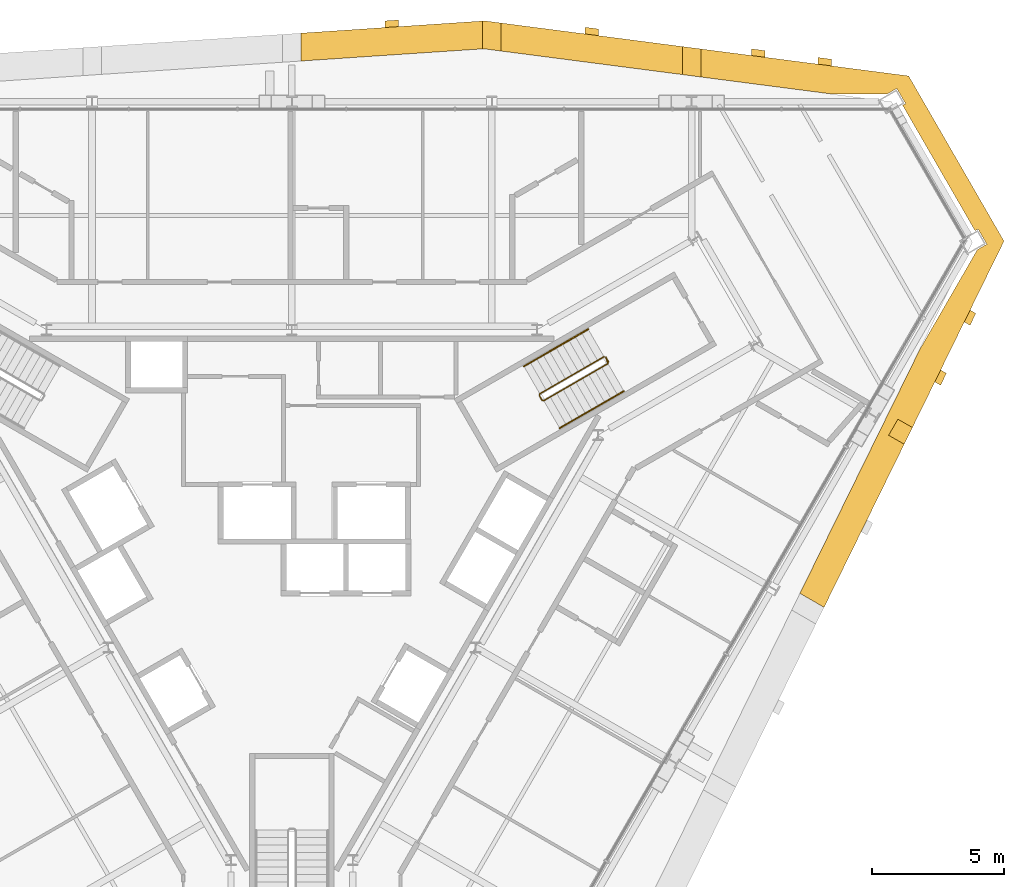
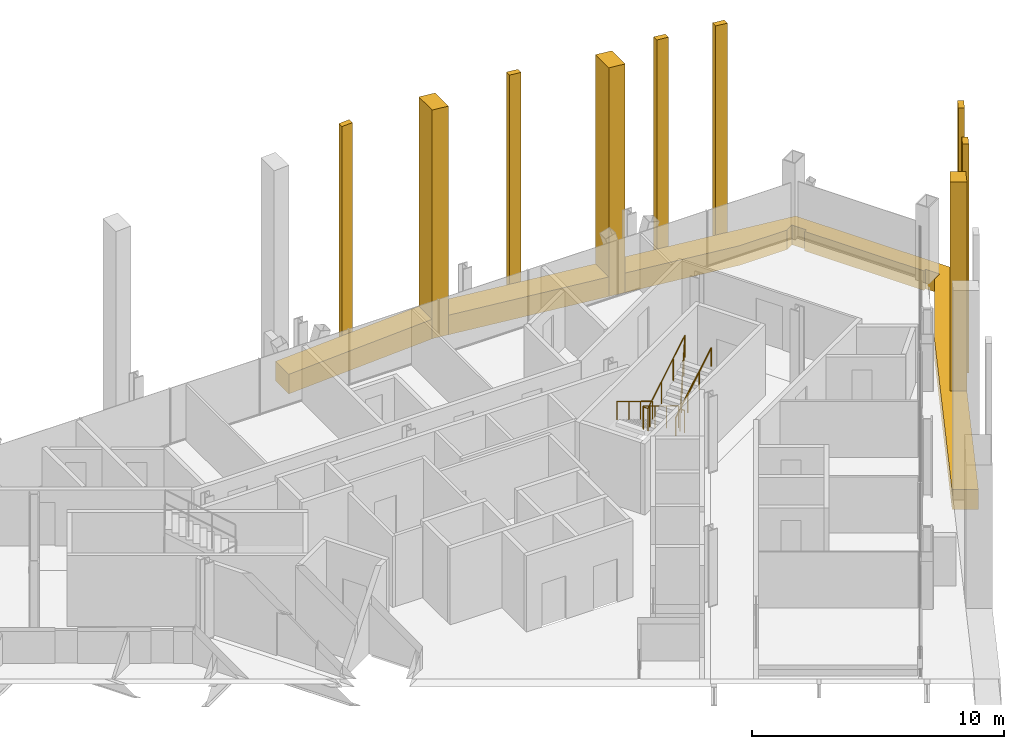
# One storey, part 14 of 14: 12 coverings, 3 railings.
"""IFC4 building model written with IfcOpenShell, lengths in metres."""

from ifc_helpers import new_model, si_unit, direction, frame, origin, origin_2d, place, context, subcontext, project, spatial, polyline, circle, outline, extrude, material, layer, layer_set, type_object, element, save


model = new_model("IFC4")

# Units and contexts
model_context = context("Model", 3, precision=1e-05, world=origin(), true_north=direction((0.0, 1.0)))
body_context = subcontext(model_context, "Body", "Model", "MODEL_VIEW")
ifc_project = project(units=[si_unit("LENGTHUNIT", "METRE"), si_unit("AREAUNIT", "SQUARE_METRE"), si_unit("VOLUMEUNIT", "CUBIC_METRE"), si_unit("PLANEANGLEUNIT", "RADIAN"), si_unit("MASSUNIT", "GRAM", prefix="KILO")], contexts=[model_context])

# Site, building, storey
site_placement = place(None, origin())
site = spatial("IfcSite", under=ifc_project, at=site_placement, CompositionType="ELEMENT")
building_placement = place(site_placement, origin())
building = spatial("IfcBuilding", under=site, at=building_placement, Name="Verrane Prism Tower", CompositionType="ELEMENT")
storey_placement = place(building_placement, frame((0.0, 0.0, 148.800048828125)))
storey = spatial("IfcBuildingStorey", under=building, at=storey_placement, Name="L36", CompositionType="ELEMENT", Elevation=148.800048828125)

# Railings
ifc_material_1 = material(Name="Steel A36 rail and posts, no infill", Category="steel")
railing_type_1 = type_object("IfcRailingType", Name="Stair guard 1100 steel rail and posts", PredefinedType="GUARDRAIL", material=ifc_material_1)
railing_1_placement = place(storey_placement, frame((11.78955078125, 6.97998046875, 0.168212890625)))
element("IfcRailing", 1, at=railing_1_placement, inside=storey, type_object=railing_type_1, Name="Stair 1 guard", PredefinedType="GUARDRAIL", context=body_context, shape_type="SweptSolid", body=[
    extrude(circle(Radius=0.02392578125, at=origin_2d()), frame((0.0, 0.0, 1.076171875), z_axis=(-0.742395268701, -0.428678701772, 0.514862928999), x_axis=(0.500049511043, -0.865996816683, 0.0)), (0.0, 0.0, 1.0), 3.26611328125),
    extrude(circle(Radius=0.02392578125, at=origin_2d()), frame((-2.4248046875, -1.400146484375, 2.7578125), z_axis=(-0.259601060869, -0.965715946433, 0.0), x_axis=(0.965715946433, -0.259601060869, 0.0)), (0.0, 0.0, 1.0), 0.070556640625),
    extrude(circle(Radius=0.02392578125, at=origin_2d()), frame((-2.443115234375, -1.46826171875, 2.7578125), z_axis=(0.499158860599, -0.866510491504, 0.0), x_axis=(0.866510491504, 0.499158860599, 0.0)), (0.0, 0.0, 1.0), 0.199951171875),
    extrude(circle(Radius=0.02392578125, at=origin_2d()), frame((-2.34326171875, -1.6416015625, 2.7578125), z_axis=(0.374585375571, -0.100335368456, 0.921747584887), x_axis=(0.258736085224, 0.965948051503, 0.0)), (0.0, 0.0, 1.0), 0.182373046875),
    extrude(circle(Radius=0.02392578125, at=origin_2d()), frame((-2.27490234375, -1.659912109375, 2.92578125), z_axis=(0.742366697286, 0.42866220388, 0.514917859203), x_axis=(-0.500049511043, 0.865996816683, 0.0)), (0.0, 0.0, 1.0), 3.266357421875),
    extrude(circle(Radius=0.02392578125, at=origin_2d()), frame((0.14990234375, -0.259765625, 4.60791015625), z_axis=(-0.021986835041, 0.065104730107, -0.997636182785), x_axis=(-0.947430582667, -0.3199613899, 0.0)), (0.0, 0.0, 1.0), 3.708740234375),
    extrude(circle(Radius=0.02392578125, at=origin_2d()), frame((0.068359375, -0.018310546875, 0.90771484375), z_axis=(0.499158860599, -0.866510491504, 0.0), x_axis=(0.866510491504, 0.499158860599, 0.0)), (0.0, 0.0, 1.0), 0.199951171875),
    extrude(circle(Radius=0.02099609375, at=origin_2d()), origin(), (0.0, 0.0, 1.0), 1.052001953125),
    extrude(circle(Radius=0.02099609375, at=origin_2d()), frame((-0.808349609375, -0.466796875, 0.560546875)), (0.0, 0.0, 1.0), 1.052001953125),
    extrude(circle(Radius=0.02099609375, at=origin_2d()), frame((-1.616455078125, -0.933349609375, 1.12109375)), (0.0, 0.0, 1.0), 1.052001953125),
    extrude(circle(Radius=0.02099609375, at=origin_2d()), frame((-2.4248046875, -1.400146484375, 1.681640625)), (0.0, 0.0, 1.0), 1.052001953125),
    extrude(circle(Radius=0.02099609375, at=origin_2d()), frame((-2.443115234375, -1.46826171875, 1.681640625)), (0.0, 0.0, 1.0), 1.052001953125),
    extrude(circle(Radius=0.02099609375, at=origin_2d()), frame((-2.34326171875, -1.6416015625, 1.681640625)), (0.0, 0.0, 1.0), 1.052001953125),
    extrude(circle(Radius=0.02099609375, at=origin_2d()), frame((-2.27490234375, -1.659912109375, 1.849853515625)), (0.0, 0.0, 1.0), 1.052001953125),
    extrude(circle(Radius=0.02099609375, at=origin_2d()), frame((-1.466552734375, -1.193115234375, 2.410400390625)), (0.0, 0.0, 1.0), 1.052001953125),
    extrude(circle(Radius=0.02099609375, at=origin_2d()), frame((-0.658447265625, -0.7265625, 2.97119140625)), (0.0, 0.0, 1.0), 1.052001953125),
    extrude(circle(Radius=0.02099609375, at=origin_2d()), frame((0.14990234375, -0.259765625, 3.53173828125)), (0.0, 0.0, 1.0), 1.052001953125),
    extrude(circle(Radius=0.02099609375, at=origin_2d()), frame((0.12939453125, -0.199462890625, 2.606689453125)), (0.0, 0.0, 1.0), 1.052001953125),
    extrude(circle(Radius=0.02099609375, at=origin_2d()), frame((0.109130859375, -0.13916015625, 1.681640625)), (0.0, 0.0, 1.0), 1.052001953125),
    extrude(circle(Radius=0.02099609375, at=origin_2d()), frame((0.0888671875, -0.07861328125, 0.7568359375)), (0.0, 0.0, 1.0), 1.052001953125),
    extrude(circle(Radius=0.02099609375, at=origin_2d()), frame((0.068359375, -0.018310546875, -0.168212890625)), (0.0, 0.0, 1.0), 1.052001953125),
    extrude(circle(Radius=0.02099609375, at=origin_2d()), frame((0.168212890625, -0.191650390625, -0.168212890625)), (0.0, 0.0, 1.0), 1.052001953125),
])
ifc_material_2 = material(Name="Steel A36 tube", Category="steel")
railing_type_2 = type_object("IfcRailingType", Name="Stair handrail 900 steel tube", PredefinedType="HANDRAIL", material=ifc_material_2)
railing_2_placement = place(storey_placement, frame((11.189453125, 8.01904296875, 0.168212890625)))
element("IfcRailing", 2, at=railing_2_placement, inside=storey, type_object=railing_type_2, Name="Stair 1 handrail", PredefinedType="HANDRAIL", context=body_context, shape_type="SweptSolid", body=[
    extrude(circle(Radius=0.02392578125, at=origin_2d()), frame((0.0, 0.0, 0.8759765625), z_axis=(-0.74241905619, -0.428617687091, 0.514879426), x_axis=(0.49998411664, -0.866034573852, 0.0)), (0.0, 0.0, 1.0), 3.26611328125),
    extrude(circle(Radius=0.02099609375, at=origin_2d()), origin(), (0.0, 0.0, 1.0), 0.851806640625),
    extrude(circle(Radius=0.02099609375, at=origin_2d()), frame((-0.808349609375, -0.466552734375, 0.560546875)), (0.0, 0.0, 1.0), 0.851806640625),
    extrude(circle(Radius=0.02099609375, at=origin_2d()), frame((-1.616455078125, -0.933349609375, 1.12109375)), (0.0, 0.0, 1.0), 0.851806640625),
    extrude(circle(Radius=0.02099609375, at=origin_2d()), frame((-2.4248046875, -1.39990234375, 1.681640625)), (0.0, 0.0, 1.0), 0.851806640625),
])
railing_3_placement = place(storey_placement, frame((10.11474609375, 4.28076171875, 2.01806640625)))
element("IfcRailing", 3, at=railing_3_placement, inside=storey, type_object=railing_type_2, Name="Stair 1 handrail", PredefinedType="HANDRAIL", context=body_context, shape_type="SweptSolid", body=[
    extrude(circle(Radius=0.02392578125, at=origin_2d()), frame((0.0, 0.0, 0.8759765625), z_axis=(0.742366697286, 0.42866220388, 0.514917859203), x_axis=(-0.500049511043, 0.865996816683, 0.0)), (0.0, 0.0, 1.0), 3.266357421875),
    extrude(circle(Radius=0.02099609375, at=origin_2d()), origin(), (0.0, 0.0, 1.0), 0.851806640625),
    extrude(circle(Radius=0.02099609375, at=origin_2d()), frame((0.808349609375, 0.466796875, 0.560546875)), (0.0, 0.0, 1.0), 0.851806640625),
    extrude(circle(Radius=0.02099609375, at=origin_2d()), frame((1.616455078125, 0.933349609375, 1.121337890625)), (0.0, 0.0, 1.0), 0.851806640625),
    extrude(circle(Radius=0.02099609375, at=origin_2d()), frame((2.4248046875, 1.400146484375, 1.681884765625)), (0.0, 0.0, 1.0), 0.851806640625),
])

# Coverings
ifc_material_3 = material(Name="Warm limestone cladding", Category="masonry")
covering_type_1 = type_object("IfcCoveringType", Name="Stone mullion pier 500", PredefinedType="CLADDING", material=ifc_material_3)
covering_1_placement = place(storey_placement, frame((0.0, 0.0, -0.949951171875)))
element("IfcCovering", 4, at=covering_1_placement, inside=storey, type_object=covering_type_1, Name="Stone pier SM-N0.1 L36-L38", PredefinedType="CLADDING", context=body_context, shape_type="SweptSolid", body=[
    extrude(outline(polyline([(19.87744140625, 18.028076171875), (20.37744140625, 17.963134765625), (20.37744140625, 18.215087890625), (19.87744140625, 18.2802734375), (19.87744140625, 18.028076171875)])), origin(), (0.0, 0.0, 1.0), 11.099853515625),
])
covering_2_placement = place(storey_placement, frame((0.0, 0.0, -0.949951171875)))
element("IfcCovering", 5, at=covering_2_placement, inside=storey, type_object=covering_type_1, Name="Stone pier SM-N0.2 L36-L38", PredefinedType="CLADDING", context=body_context, shape_type="SweptSolid", body=[
    extrude(outline(polyline([(17.361572265625, 18.35498046875), (17.861572265625, 18.289794921875), (17.861572265625, 18.5419921875), (17.361572265625, 18.60693359375), (17.361572265625, 18.35498046875)])), origin(), (0.0, 0.0, 1.0), 11.099853515625),
])
covering_3_placement = place(storey_placement, frame((0.0, 0.0, -0.949951171875)))
element("IfcCovering", 6, at=covering_3_placement, inside=storey, type_object=covering_type_1, Name="Stone pier SM-N1.1 L36-L38", PredefinedType="CLADDING", context=body_context, shape_type="SweptSolid", body=[
    extrude(outline(polyline([(11.07177734375, 19.171875), (11.57177734375, 19.10693359375), (11.57177734375, 19.35888671875), (11.07177734375, 19.424072265625), (11.07177734375, 19.171875)])), origin(), (0.0, 0.0, 1.0), 11.099853515625),
])
covering_4_placement = place(storey_placement, frame((0.0, 0.0, -0.949951171875)))
element("IfcCovering", 7, at=covering_4_placement, inside=storey, type_object=covering_type_1, Name="Stone pier SM-N2.1 L36-L38", PredefinedType="CLADDING", context=body_context, shape_type="SweptSolid", body=[
    extrude(outline(polyline([(3.52392578125, 19.413330078125), (4.02392578125, 19.44677734375), (4.02392578125, 19.697265625), (3.52392578125, 19.663818359375), (3.52392578125, 19.413330078125)])), origin(), (0.0, 0.0, 1.0), 11.099853515625),
])
covering_5_placement = place(storey_placement, frame((0.0, 0.0, -0.949951171875)))
element("IfcCovering", 8, at=covering_5_placement, inside=storey, type_object=covering_type_1, Name="Stone pier SM-SE5.1 L36-L38", PredefinedType="CLADDING", context=body_context, shape_type="SweptSolid", body=[
    extrude(outline(polyline([(24.50390625, 6.477294921875), (24.282958984375, 6.027587890625), (24.5, 5.90234375), (24.720947265625, 6.35205078125), (24.50390625, 6.477294921875)])), origin(), (0.0, 0.0, 1.0), 11.099853515625),
])
covering_6_placement = place(storey_placement, frame((0.0, 0.0, -0.949951171875)))
element("IfcCovering", 9, at=covering_6_placement, inside=storey, type_object=covering_type_1, Name="Stone pier SM-SE5.2 L36-L38", PredefinedType="CLADDING", context=body_context, shape_type="SweptSolid", body=[
    extrude(outline(polyline([(25.6162109375, 8.740234375), (25.39501953125, 8.29052734375), (25.612060546875, 8.165283203125), (25.8330078125, 8.614990234375), (25.6162109375, 8.740234375)])), origin(), (0.0, 0.0, 1.0), 11.099853515625),
])
ifc_material_4 = material(Name="Warm limestone cladding", Category="masonry")
covering_type_2 = type_object("IfcCoveringType", Name="Stone pier 700", PredefinedType="CLADDING", material=ifc_material_4)
covering_7_placement = place(storey_placement, frame((0.0, 0.0, -0.949951171875)))
element("IfcCovering", 10, at=covering_7_placement, inside=storey, type_object=covering_type_2, Name="Stone pier PC-N1 L36-L38", PredefinedType="CLADDING", context=body_context, shape_type="SweptSolid", body=[
    extrude(outline(polyline([(14.74560546875, 18.694580078125), (14.74560546875, 17.635986328125), (15.445556640625, 17.544921875), (15.445556640625, 18.603759765625), (14.74560546875, 18.694580078125)])), origin(), (0.0, 0.0, 1.0), 11.099853515625),
])
covering_8_placement = place(storey_placement, frame((0.0, 0.0, -0.949951171875)))
element("IfcCovering", 11, at=covering_8_placement, inside=storey, type_object=covering_type_2, Name="Stone pier PC-N2 L36-L38", PredefinedType="CLADDING", context=body_context, shape_type="SweptSolid", body=[
    extrude(outline(polyline([(7.19775390625, 19.6591796875), (7.19775390625, 18.606689453125), (7.245849609375, 18.610107421875), (7.897705078125, 18.525390625), (7.897705078125, 19.583984375), (7.27880859375, 19.66455078125), (7.19775390625, 19.6591796875)])), origin(), (0.0, 0.0, 1.0), 11.099853515625),
])
covering_9_placement = place(storey_placement, frame((0.0, 0.0, -0.949951171875)))
element("IfcCovering", 12, at=covering_9_placement, inside=storey, type_object=covering_type_2, Name="Stone pier PC-SE5 L36-L38", PredefinedType="CLADDING", context=body_context, shape_type="SweptSolid", body=[
    extrude(outline(polyline([(22.889404296875, 4.619873046875), (22.539306640625, 4.013671875), (23.12646484375, 3.674560546875), (23.43603515625, 4.30419921875), (22.889404296875, 4.619873046875)])), origin(), (0.0, 0.0, 1.0), 11.099853515625),
])
ifc_material_5 = material(Name="Warm limestone cladding", Category="masonry")
ifc_layer = layer(ifc_material_5, 0.449951171875)
ifc_layer_set = layer_set([ifc_layer], Name="Stone spandrel band 450")
covering_type_3 = type_object("IfcCoveringType", Name="Stone spandrel band 450", PredefinedType="CLADDING", material=ifc_layer_set)
covering_10_placement = place(storey_placement, frame((0.0, 0.0, -0.949951171875)))
element("IfcCovering", 13, at=covering_10_placement, inside=storey, type_object=covering_type_3, Name="Stone spandrel band L36 part 2", PredefinedType="CLADDING", context=body_context, shape_type="SweptSolid", body=[
    extrude(outline(polyline([(15.445556640625, 17.544921875), (20.333740234375, 16.909912109375), (22.49951171875, 16.909912109375), (22.847412109375, 17.11083984375), (23.177490234375, 16.539306640625), (23.0673828125, 16.4755859375), (25.80419921875, 11.7353515625), (25.91748046875, 11.80078125), (26.247314453125, 11.229248046875), (25.89013671875, 11.02294921875), (23.724609375, 7.27197265625), (19.18798828125, -1.95849609375), (20.099609375, -2.48486328125), (23.12646484375, 3.674560546875), (22.539306640625, 4.013671875), (22.889404296875, 4.619873046875), (23.43603515625, 4.30419921875), (26.89599609375, 11.344482421875), (23.293212890625, 17.58447265625), (15.445556640625, 18.603759765625), (15.445556640625, 17.544921875)])), origin(), (0.0, 0.0, 1.0), 0.949951171875),
])
covering_11_placement = place(storey_placement, frame((0.0, 0.0, -0.949951171875)))
element("IfcCovering", 14, at=covering_11_placement, inside=storey, type_object=covering_type_3, Name="Stone spandrel band L36 part 5", PredefinedType="CLADDING", context=body_context, shape_type="SweptSolid", body=[
    extrude(outline(polyline([(7.897705078125, 18.525390625), (14.74560546875, 17.635986328125), (14.74560546875, 18.694580078125), (7.897705078125, 19.583984375), (7.897705078125, 18.525390625)])), origin(), (0.0, 0.0, 1.0), 0.949951171875),
])
covering_12_placement = place(storey_placement, frame((0.0, 0.0, -0.949951171875)))
element("IfcCovering", 15, at=covering_12_placement, inside=storey, type_object=covering_type_3, Name="Stone spandrel band L36 part 11", PredefinedType="CLADDING", context=body_context, shape_type="SweptSolid", body=[
    extrude(outline(polyline([(0.35009765625, 18.148681640625), (7.19775390625, 18.606689453125), (7.19775390625, 19.6591796875), (0.35009765625, 19.200927734375), (0.35009765625, 18.148681640625)])), origin(), (0.0, 0.0, 1.0), 0.949951171875),
])

save(model, "model.ifc")
